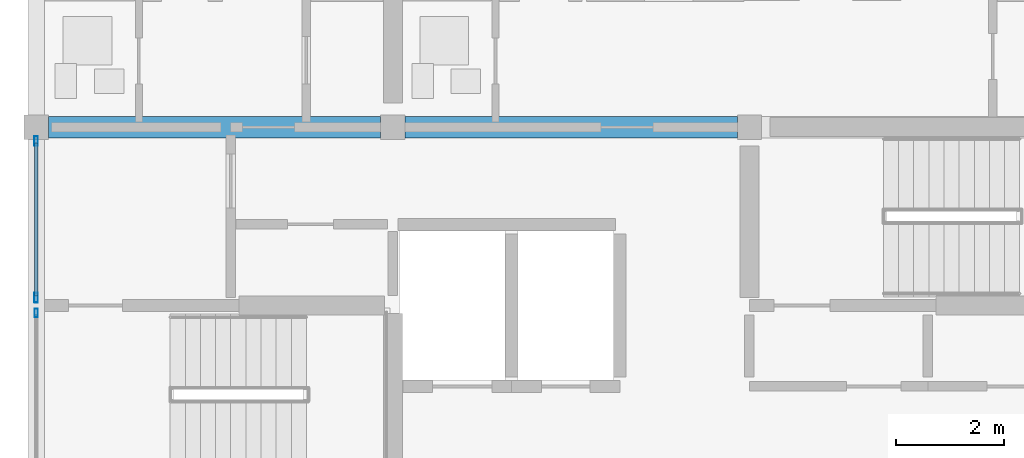
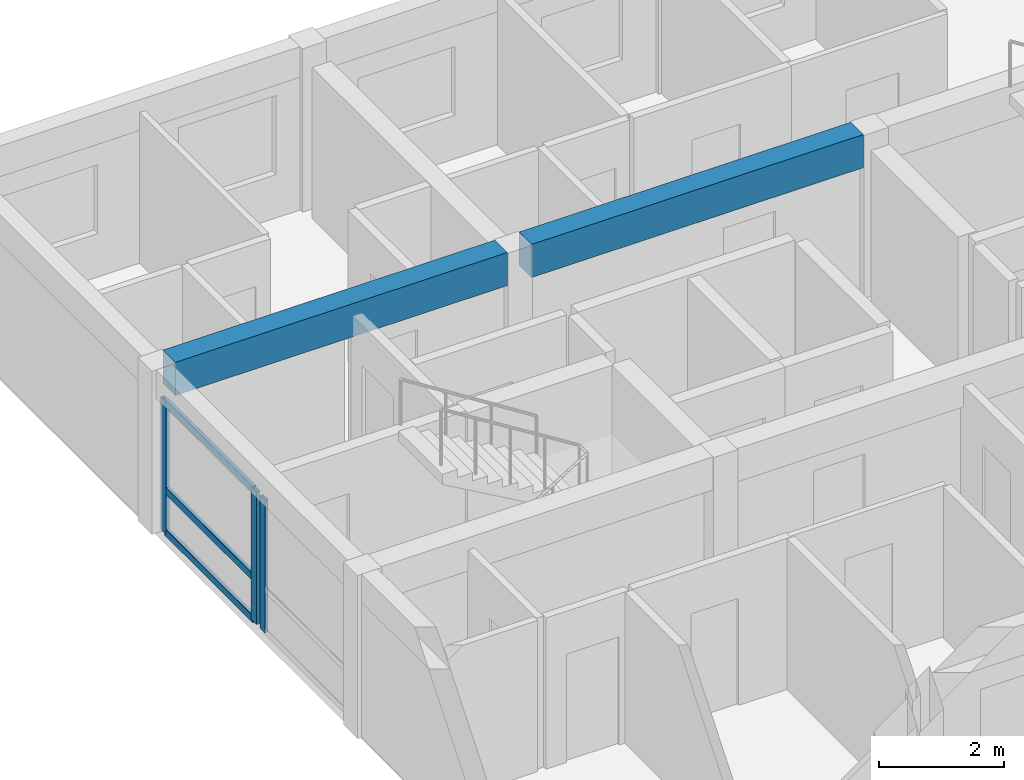
# One storey, part 5 of 52: 6 members, 2 beams, 2 elements without a shape of their own.
"""IFC4 building model written with IfcOpenShell, lengths in metres."""

from ifc_helpers import new_model, si_unit, direction, frame, origin, origin_2d, place, context, subcontext, project, spatial, rectangle, hollow_rectangle, extrude, material, material_profile, profile_set, type_object, element, aggregate, save


model = new_model("IFC4")

# Units and contexts
model_context = context("Model", 3, precision=1e-05, world=origin(), true_north=direction((0.0, 1.0)))
body_context = subcontext(model_context, "Body", "Model", "MODEL_VIEW")
ifc_project = project(units=[si_unit("LENGTHUNIT", "METRE"), si_unit("AREAUNIT", "SQUARE_METRE"), si_unit("VOLUMEUNIT", "CUBIC_METRE"), si_unit("PLANEANGLEUNIT", "RADIAN"), si_unit("MASSUNIT", "GRAM", prefix="KILO")], contexts=[model_context])

# Site, building, storey
site_placement = place(None, origin())
site = spatial("IfcSite", under=ifc_project, at=site_placement, CompositionType="ELEMENT")
building_placement = place(site_placement, origin())
building = spatial("IfcBuilding", under=site, at=building_placement, Name="Kernevlak Ridge Housing Community", CompositionType="ELEMENT")
storey_placement = place(building_placement, frame((0.0, 0.0, 11.60009765625)))
storey = spatial("IfcBuildingStorey", under=building, at=storey_placement, Name="L03", CompositionType="ELEMENT", Elevation=11.60009765625)

# Beams
ifc_material_1 = material(Name="Concrete C35/45", Category="concrete")
ifc_material_profile_1 = material_profile(ifc_material_1, rectangle(XDim=0.39990234375, YDim=0.64990234375, at=origin_2d()), Name="RC 400x650")
ifc_profile_set_1 = profile_set([ifc_material_profile_1], Name="Concrete C35/45")
beam_type = type_object("IfcBeamType", Name="B-03", PredefinedType="T_BEAM", material=ifc_profile_set_1)
beam_1_placement = place(storey_placement, frame((15.824951171875, 28.800048828125, 2.875), z_axis=(1.0, 0.0, 0.0), x_axis=(0.0, 1.0, 0.0)))
element("IfcBeam", 1, at=beam_1_placement, inside=storey, type_object=beam_type, Name="Beam B-03 L03 1396", PredefinedType="T_BEAM", context=body_context, shape_type="SweptSolid", body=[
    extrude(rectangle(XDim=0.39990234375, YDim=0.64990234375, at=origin_2d()), origin(), (0.0, 0.0, 1.0), 6.150146484375),
])
beam_2_placement = place(storey_placement, frame((22.425048828125, 28.800048828125, 2.875), z_axis=(1.0, 0.0, 0.0), x_axis=(0.0, 1.0, 0.0)))
element("IfcBeam", 2, at=beam_2_placement, inside=storey, type_object=beam_type, Name="Beam B-03 L03 1397", PredefinedType="T_BEAM", context=body_context, shape_type="SweptSolid", body=[
    extrude(rectangle(XDim=0.39990234375, YDim=0.64990234375, at=origin_2d()), origin(), (0.0, 0.0, 1.0), 6.14990234375),
])

# Curtain wall, member
ifc_material_2 = material(Name="Aluminium EN AW-6060 anodised and laminated glass", Category="aluminium")
curtain_wall_type_1 = type_object("IfcCurtainWallType", Name="CW-10", PredefinedType="NOTDEFINED", material=ifc_material_2)
curtain_wall_1_placement = place(storey_placement, origin())
curtain_wall_1 = element("IfcCurtainWall", 3, at=curtain_wall_1_placement, inside=storey, type_object=curtain_wall_type_1, Name="Curtain wall CW-10 CW-L03-148", PredefinedType="NOTDEFINED")
ifc_material_3 = material(Name="Aluminium EN AW-6060 anodised", Category="aluminium")
ifc_material_profile_2 = material_profile(ifc_material_3, hollow_rectangle(XDim=0.06005859375, YDim=0.159912109375, WallThickness=0.00390625, InnerFilletRadius=0.001953125, OuterFilletRadius=0.00390625, at=origin_2d()), Name="ALU 60x160x4")
ifc_profile_set_2 = profile_set([ifc_material_profile_2], Name="Aluminium EN AW-6060 anodised")
member_type_1 = type_object("IfcMemberType", Name="MU-02", PredefinedType="MULLION", material=ifc_profile_set_2)
member_1_placement = place(storey_placement, frame((15.60009765625, 25.360107421875, 0.0), z_axis=(0.0, 0.0, 1.0), x_axis=(-1.0, 0.0, 0.0)))
member_1 = element("IfcMember", 4, at=member_1_placement, type_object=member_type_1, Name="CW-10 mullion 2", PredefinedType="MULLION", context=body_context, shape_type="SweptSolid", body=[
    extrude(hollow_rectangle(XDim=0.06005859375, YDim=0.159912109375, WallThickness=0.00390625, InnerFilletRadius=0.001953125, OuterFilletRadius=0.00390625, at=origin_2d()), origin(), (0.0, 0.0, 1.0), 2.599853515625),
])
aggregate(curtain_wall_1, [member_1])

# Curtain wall, members
curtain_wall_type_2 = type_object("IfcCurtainWallType", Name="CW-02", PredefinedType="NOTDEFINED", material=ifc_material_2)
curtain_wall_2_placement = place(storey_placement, origin())
curtain_wall_2 = element("IfcCurtainWall", 5, at=curtain_wall_2_placement, inside=storey, type_object=curtain_wall_type_2, Name="Curtain wall CW-02 CW-L03-149", PredefinedType="NOTDEFINED")
ifc_material_profile_3 = material_profile(ifc_material_3, hollow_rectangle(XDim=0.06494140625, YDim=0.179931640625, WallThickness=0.00439453125, InnerFilletRadius=0.001953125, OuterFilletRadius=0.00439453125, at=origin_2d()), Name="ALU 65x180x4.5")
ifc_profile_set_3 = profile_set([ifc_material_profile_3], Name="Aluminium EN AW-6060 anodised")
member_type_2 = type_object("IfcMemberType", Name="MU-03", PredefinedType="MULLION", material=ifc_profile_set_3)
member_2_placement = place(storey_placement, frame((15.60009765625, 25.642578125, 0.0), z_axis=(0.0, 0.0, 1.0), x_axis=(-1.0, 0.0, 0.0)))
member_2 = element("IfcMember", 6, at=member_2_placement, type_object=member_type_2, Name="CW-02 mullion 1", PredefinedType="MULLION", context=body_context, shape_type="SweptSolid", body=[
    extrude(hollow_rectangle(XDim=0.06494140625, YDim=0.179931640625, WallThickness=0.00439453125, InnerFilletRadius=0.001953125, OuterFilletRadius=0.00439453125, at=origin_2d()), origin(), (0.0, 0.0, 1.0), 2.599853515625),
])
member_3_placement = place(storey_placement, frame((15.60009765625, 28.54248046875, 0.0), z_axis=(0.0, 0.0, 1.0), x_axis=(-1.0, 0.0, 0.0)))
member_3 = element("IfcMember", 7, at=member_3_placement, type_object=member_type_2, Name="CW-02 mullion 2", PredefinedType="MULLION", context=body_context, shape_type="SweptSolid", body=[
    extrude(hollow_rectangle(XDim=0.06494140625, YDim=0.179931640625, WallThickness=0.00439453125, InnerFilletRadius=0.001953125, OuterFilletRadius=0.00439453125, at=origin_2d()), origin(), (0.0, 0.0, 1.0), 2.599853515625),
])
ifc_material_profile_4 = material_profile(ifc_material_3, hollow_rectangle(XDim=0.06494140625, YDim=0.139892578125, WallThickness=0.00390625, InnerFilletRadius=0.001953125, OuterFilletRadius=0.00390625, at=origin_2d()), Name="ALU 65x140x4")
ifc_profile_set_4 = profile_set([ifc_material_profile_4], Name="Aluminium EN AW-6060 anodised")
member_type_3 = type_object("IfcMemberType", Name="TM-03", PredefinedType="USERDEFINED", material=ifc_profile_set_4)
member_4_placement = place(storey_placement, frame((15.60009765625, 25.675048828125, 0.032470703125), z_axis=(0.0, 1.0, 0.0), x_axis=(-1.0, 0.0, 0.0)))
member_4 = element("IfcMember", 8, at=member_4_placement, type_object=member_type_3, Name="CW-02 transom 1.1", ObjectType="TRANSOM", PredefinedType="USERDEFINED", context=body_context, shape_type="SweptSolid", body=[
    extrude(hollow_rectangle(XDim=0.06494140625, YDim=0.139892578125, WallThickness=0.00390625, InnerFilletRadius=0.001953125, OuterFilletRadius=0.00390625, at=origin_2d()), origin(), (0.0, 0.0, 1.0), 2.8349609375),
])
member_5_placement = place(storey_placement, frame((15.60009765625, 25.675048828125, 0.849853515625), z_axis=(0.0, 1.0, 0.0), x_axis=(-1.0, 0.0, 0.0)))
member_5 = element("IfcMember", 9, at=member_5_placement, type_object=member_type_3, Name="CW-02 transom 1.2", ObjectType="TRANSOM", PredefinedType="USERDEFINED", context=body_context, shape_type="SweptSolid", body=[
    extrude(hollow_rectangle(XDim=0.06494140625, YDim=0.139892578125, WallThickness=0.00390625, InnerFilletRadius=0.001953125, OuterFilletRadius=0.00390625, at=origin_2d()), origin(), (0.0, 0.0, 1.0), 2.8349609375),
])
member_6_placement = place(storey_placement, frame((15.60009765625, 25.675048828125, 2.5673828125), z_axis=(0.0, 1.0, 0.0), x_axis=(-1.0, 0.0, 0.0)))
member_6 = element("IfcMember", 10, at=member_6_placement, type_object=member_type_3, Name="CW-02 transom 1.3", ObjectType="TRANSOM", PredefinedType="USERDEFINED", context=body_context, shape_type="SweptSolid", body=[
    extrude(hollow_rectangle(XDim=0.06494140625, YDim=0.139892578125, WallThickness=0.00390625, InnerFilletRadius=0.001953125, OuterFilletRadius=0.00390625, at=origin_2d()), origin(), (0.0, 0.0, 1.0), 2.8349609375),
])
aggregate(curtain_wall_2, [member_2, member_3, member_4, member_5, member_6])

save(model, "model.ifc")
